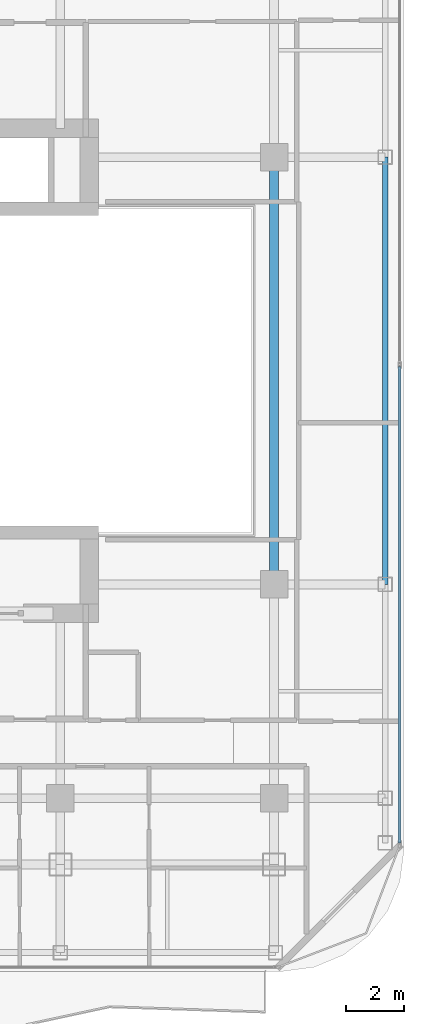
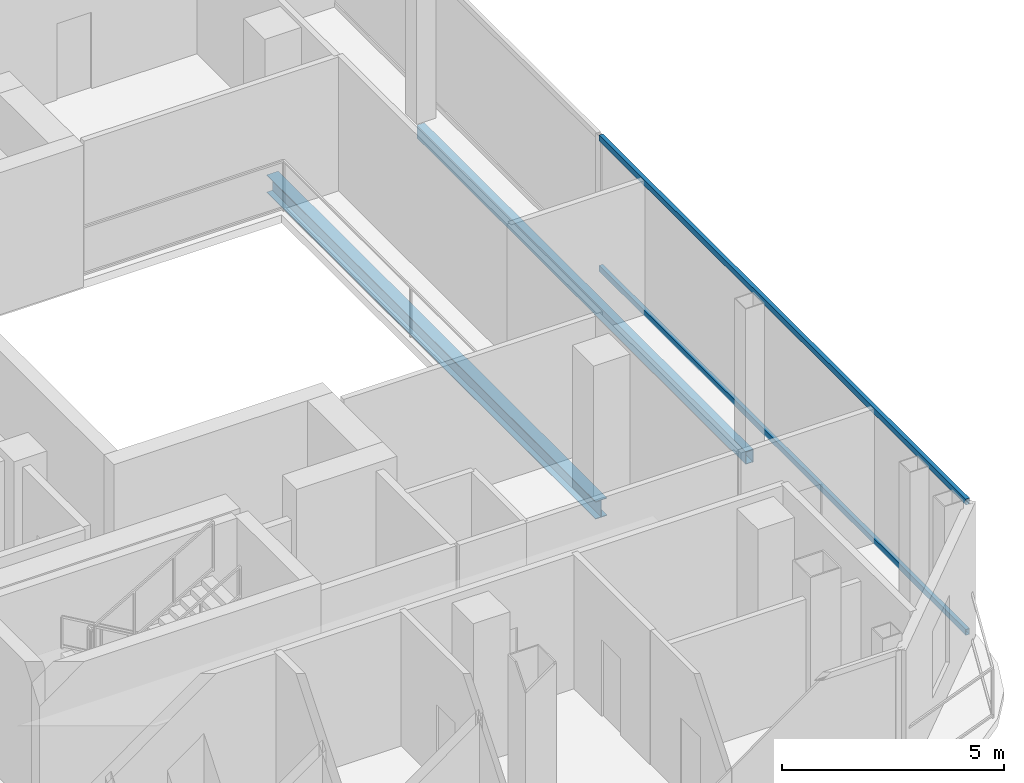
# One storey, part 9 of 22: 2 beams, 2 members, 1 element without a shape of its own.
"""IFC4 building model written with IfcOpenShell, lengths in metres."""

from ifc_helpers import new_model, si_unit, direction, frame, origin, origin_2d, place, context, subcontext, project, spatial, hollow_rectangle, i_section, extrude, material, layer, layer_set, material_profile, profile_set, type_object, element, aggregate, save


model = new_model("IFC4")

# Units and contexts
model_context = context("Model", 3, precision=1e-05, world=origin(), true_north=direction((0.0, 1.0)))
body_context = subcontext(model_context, "Body", "Model", "MODEL_VIEW")
ifc_project = project(units=[si_unit("LENGTHUNIT", "METRE"), si_unit("AREAUNIT", "SQUARE_METRE"), si_unit("VOLUMEUNIT", "CUBIC_METRE"), si_unit("PLANEANGLEUNIT", "RADIAN"), si_unit("MASSUNIT", "GRAM", prefix="KILO")], contexts=[model_context])

# Site, building, storey
site_placement = place(None, origin())
site = spatial("IfcSite", under=ifc_project, at=site_placement, CompositionType="ELEMENT")
building_placement = place(site_placement, origin())
building = spatial("IfcBuilding", under=site, at=building_placement, Name="Khorvyn Point Tower", CompositionType="ELEMENT")
storey_placement = place(building_placement, frame((0.0, 0.0, 305.39990234375)))
storey = spatial("IfcBuildingStorey", under=building, at=storey_placement, Name="L75", CompositionType="ELEMENT", Elevation=305.39990234375)

# Curtain wall, members
ifc_material_1 = material(Name="Anodised aluminium 6063-T6 and laminated Low-E glass", Category="aluminium")
ifc_layer = layer(ifc_material_1, 0.18994140625)
ifc_layer_set = layer_set([ifc_layer], Name="Stick-Built High-Wind Curtain Wall CW-SYS-04")
curtain_wall_type = type_object("IfcCurtainWallType", Name="Stick-Built High-Wind Curtain Wall CW-SYS-04", PredefinedType="NOTDEFINED", material=ifc_layer_set)
curtain_wall_placement = place(storey_placement, origin())
curtain_wall = element("IfcCurtainWall", 1, at=curtain_wall_placement, inside=storey, type_object=curtain_wall_type, Name="Curtain Wall", PredefinedType="NOTDEFINED")
ifc_material_2 = material(Name="Anodised aluminium 6063-T6", Category="aluminium")
ifc_material_profile_1 = material_profile(ifc_material_2, hollow_rectangle(XDim=0.10009765625, YDim=0.159912109375, WallThickness=0.00439453125, at=origin_2d()))
ifc_profile_set_1 = profile_set([ifc_material_profile_1], Name="Anodised aluminium 6063-T6 ALU-TRN-100x160")
member_type = type_object("IfcMemberType", Name="Anodised Aluminium 6063-T6 Transom ALU-TRN-100x160", PredefinedType="USERDEFINED", material=ifc_profile_set_1)
member_1_placement = place(storey_placement, frame((19.14990234375, 0.14990234375, 0.050048828125), z_axis=(0.0, -1.0, 0.0), x_axis=(1.0, 0.0, 0.0)))
member_1 = element("IfcMember", 2, at=member_1_placement, type_object=member_type, Name="Transom", ObjectType="TRANSOM", PredefinedType="USERDEFINED", context=body_context, shape_type="SweptSolid", body=[
    extrude(hollow_rectangle(XDim=0.10009765625, YDim=0.159912109375, WallThickness=0.00439453125, at=origin_2d()), origin(), (0.0, 0.0, 1.0), 16.5),
])
member_2_placement = place(storey_placement, frame((19.14990234375, 0.14990234375, 3.630126953125), z_axis=(0.0, -1.0, 0.0), x_axis=(1.0, 0.0, 0.0)))
member_2 = element("IfcMember", 3, at=member_2_placement, type_object=member_type, Name="Transom", ObjectType="TRANSOM", PredefinedType="USERDEFINED", context=body_context, shape_type="SweptSolid", body=[
    extrude(hollow_rectangle(XDim=0.10009765625, YDim=0.159912109375, WallThickness=0.00439453125, at=origin_2d()), origin(), (0.0, 0.0, 1.0), 16.5),
])
aggregate(curtain_wall, [member_1, member_2])

# Beams
ifc_material_3 = material(Name="Steel S355", Category="steel")
ifc_material_profile_2 = material_profile(ifc_material_3, i_section(OverallWidth=0.300048828125, OverallDepth=0.488037109375, WebThickness=0.010986328125, FlangeThickness=0.01806640625, at=origin_2d()))
ifc_profile_set_2 = profile_set([ifc_material_profile_2], Name="Steel S355 H488x300x11x18")
beam_type_1 = type_object("IfcBeamType", Name="Steel S355 Spandrel H488x300x11x18", PredefinedType="SPANDREL", material=ifc_profile_set_2)
beam_1_placement = place(storey_placement, frame((14.800048828125, -7.39990234375, -0.4638671875), z_axis=(0.0, 1.0, 0.0), x_axis=(-1.0, 0.0, 0.0)))
element("IfcBeam", 4, at=beam_1_placement, inside=storey, type_object=beam_type_1, Name="Beam", PredefinedType="SPANDREL", context=body_context, shape_type="SweptSolid", body=[
    extrude(i_section(OverallWidth=0.300048828125, OverallDepth=0.488037109375, WebThickness=0.010986328125, FlangeThickness=0.01806640625, at=origin_2d()), origin(), (0.0, 0.0, 1.0), 14.7998046875),
])
ifc_material_profile_3 = material_profile(ifc_material_3, hollow_rectangle(XDim=0.199951171875, YDim=0.35009765625, WallThickness=0.013916015625, at=origin_2d()))
ifc_profile_set_3 = profile_set([ifc_material_profile_3], Name="Steel S355 RHS350x200x14")
beam_type_2 = type_object("IfcBeamType", Name="Steel S355 Spandrel RHS350x200x14", PredefinedType="SPANDREL", material=ifc_profile_set_3)
beam_2_placement = place(storey_placement, frame((18.64990234375, -7.39990234375, -0.39501953125), z_axis=(0.0, 1.0, 0.0), x_axis=(-1.0, 0.0, 0.0)))
element("IfcBeam", 5, at=beam_2_placement, inside=storey, type_object=beam_type_2, Name="Beam", PredefinedType="SPANDREL", context=body_context, shape_type="SweptSolid", body=[
    extrude(hollow_rectangle(XDim=0.199951171875, YDim=0.35009765625, WallThickness=0.013916015625, at=origin_2d()), origin(), (0.0, 0.0, 1.0), 14.7998046875),
])

save(model, "model.ifc")
